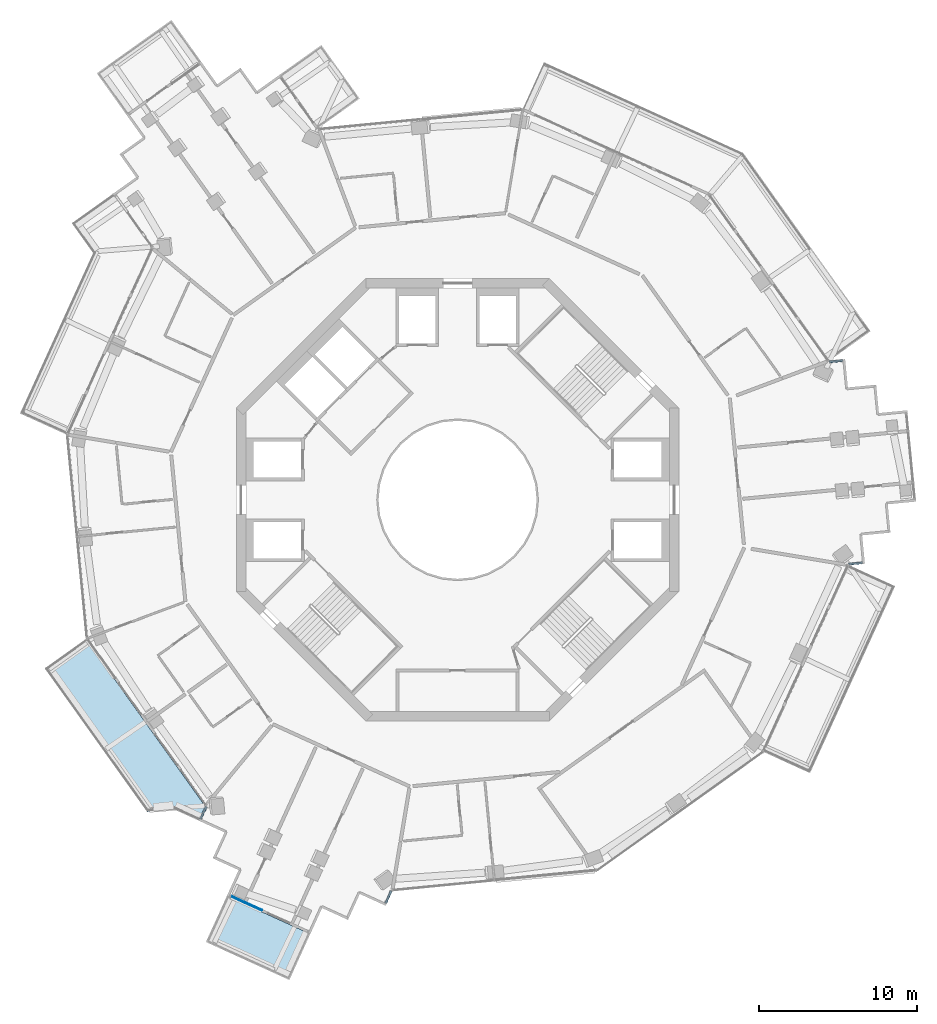
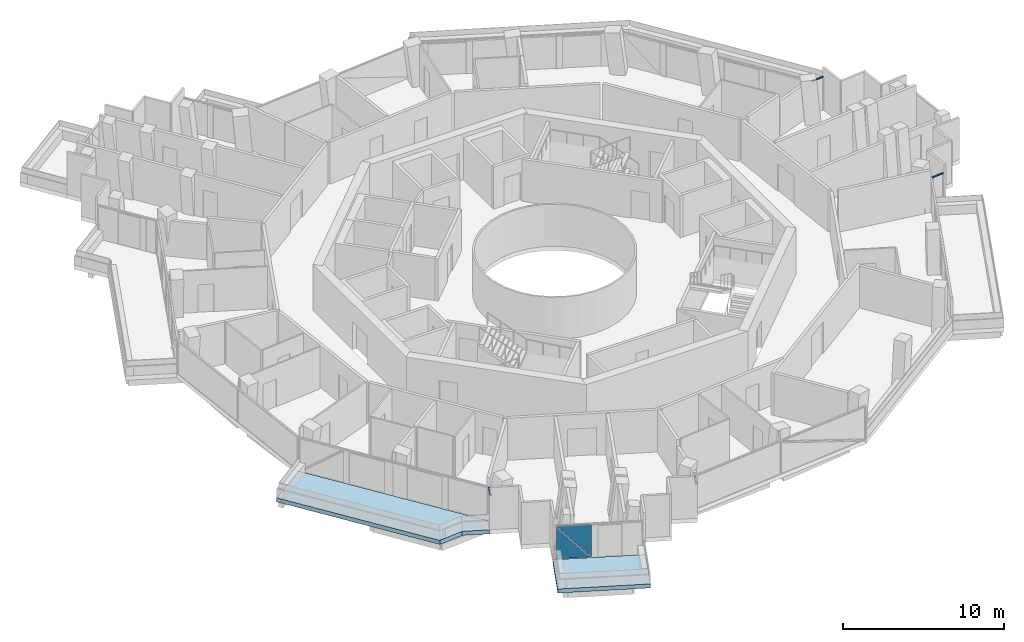
# One storey, part 9 of 22: 4 members, 2 plates, 2 slabs, 5 elements without a shape of their own.
"""IFC4 building model written with IfcOpenShell, lengths in metres."""

from ifc_helpers import new_model, si_unit, direction, frame, origin, origin_2d, place, context, subcontext, project, spatial, polyline, rectangle, outline, extrude, material, layer, layer_set, material_profile, profile_set, type_object, element, aggregate, save


model = new_model("IFC4")

# Units and contexts
model_context = context("Model", 3, precision=1e-05, world=origin(), true_north=direction((0.0, 1.0)))
body_context = subcontext(model_context, "Body", "Model", "MODEL_VIEW")
ifc_project = project(units=[si_unit("LENGTHUNIT", "METRE"), si_unit("AREAUNIT", "SQUARE_METRE"), si_unit("VOLUMEUNIT", "CUBIC_METRE"), si_unit("PLANEANGLEUNIT", "RADIAN"), si_unit("MASSUNIT", "GRAM", prefix="KILO")], contexts=[model_context])

# Site, building, storey
site_placement = place(None, origin())
site = spatial("IfcSite", under=ifc_project, at=site_placement, CompositionType="ELEMENT")
building_placement = place(site_placement, origin())
building = spatial("IfcBuilding", under=site, at=building_placement, Name="Verdalira Terraces Hotel", CompositionType="ELEMENT")
storey_placement = place(building_placement, frame((0.0, 0.0, 180.0)))
storey = spatial("IfcBuildingStorey", under=building, at=storey_placement, Name="L43", CompositionType="ELEMENT", Elevation=180.0)

# Curtain wall, member
ifc_material_1 = material(Name="Clear glass", Category="glass")
ifc_layer_1 = layer(ifc_material_1, 0.14990234375)
ifc_layer_set_1 = layer_set([ifc_layer_1], Name="CW2 curtain wall")
curtain_wall_type_1 = type_object("IfcCurtainWallType", Name="CW2 curtain wall", PredefinedType="NOTDEFINED", material=ifc_layer_set_1)
curtain_wall_1_placement = place(storey_placement, origin())
curtain_wall_1 = element("IfcCurtainWall", 1, at=curtain_wall_1_placement, inside=storey, type_object=curtain_wall_type_1, Name="CW2 curtain wall L43 edge 14", PredefinedType="NOTDEFINED")
ifc_material_2 = material(Name="Terracotta frame", Category="masonry")
ifc_material_profile = material_profile(ifc_material_2, rectangle(XDim=0.11499, YDim=0.064941, at=origin_2d()), Name="TR 65x115")
ifc_profile_set = profile_set([ifc_material_profile], Name="Terracotta frame")
member_type = type_object("IfcMemberType", Name="CW2 transom 65x115", PredefinedType="USERDEFINED", material=ifc_profile_set)
member_1_placement = place(storey_placement, frame((-15.899414, -19.415283, 2.507568), z_axis=(-0.414408696, -0.910090893, 0.0), x_axis=(0.910090893, -0.414408696, 0.0)))
member_1 = element("IfcMember", 2, at=member_1_placement, type_object=member_type, Name="CW2 transom", ObjectType="TRANSOM", PredefinedType="USERDEFINED", context=body_context, shape_type="SweptSolid", body=[
    extrude(rectangle(XDim=0.11499, YDim=0.064941, at=origin_2d()), origin(), (0.0, 0.0, 1.0), 0.850098),
])
aggregate(curtain_wall_1, [member_1])

curtain_wall_2_placement = place(storey_placement, origin())
curtain_wall_2 = element("IfcCurtainWall", 3, at=curtain_wall_2_placement, inside=storey, type_object=curtain_wall_type_1, Name="CW2 curtain wall L43 edge 24", PredefinedType="NOTDEFINED")
member_2_placement = place(storey_placement, frame((-4.556885, -25.513672, 2.507568), z_axis=(0.414408696, 0.910090893, 0.0), x_axis=(-0.910090893, 0.414408696, 0.0)))
member_2 = element("IfcMember", 4, at=member_2_placement, type_object=member_type, Name="CW2 transom", ObjectType="TRANSOM", PredefinedType="USERDEFINED", context=body_context, shape_type="SweptSolid", body=[
    extrude(rectangle(XDim=0.11499, YDim=0.064941, at=origin_2d()), origin(), (0.0, 0.0, 1.0), 0.850098),
])
aggregate(curtain_wall_2, [member_2])

curtain_wall_3_placement = place(storey_placement, origin())
curtain_wall_3 = element("IfcCurtainWall", 5, at=curtain_wall_3_placement, inside=storey, type_object=curtain_wall_type_1, Name="CW2 curtain wall L43 edge 28", PredefinedType="NOTDEFINED")
member_3_placement = place(storey_placement, frame((24.763916, -4.061768, 2.507568), z_axis=(0.995358894, 0.096232389, 0.0), x_axis=(-0.096232389, 0.995358894, 0.0)))
member_3 = element("IfcMember", 6, at=member_3_placement, type_object=member_type, Name="CW2 transom", ObjectType="TRANSOM", PredefinedType="USERDEFINED", context=body_context, shape_type="SweptSolid", body=[
    extrude(rectangle(XDim=0.11499, YDim=0.064941, at=origin_2d()), origin(), (0.0, 0.0, 1.0), 0.849854),
])
aggregate(curtain_wall_3, [member_3])

curtain_wall_4_placement = place(storey_placement, origin())
curtain_wall_4 = element("IfcCurtainWall", 7, at=curtain_wall_4_placement, inside=storey, type_object=curtain_wall_type_1, Name="CW2 curtain wall L43 edge 38", PredefinedType="NOTDEFINED")
member_4_placement = place(storey_placement, frame((24.373779, 8.810547, 2.507568), z_axis=(-0.995358894, -0.096232389, 0.0), x_axis=(0.096232389, -0.995358894, 0.0)))
member_4 = element("IfcMember", 8, at=member_4_placement, type_object=member_type, Name="CW2 transom", ObjectType="TRANSOM", PredefinedType="USERDEFINED", context=body_context, shape_type="SweptSolid", body=[
    extrude(rectangle(XDim=0.11499, YDim=0.064941, at=origin_2d()), origin(), (0.0, 0.0, 1.0), 0.849854),
])
aggregate(curtain_wall_4, [member_4])

# Slabs
ifc_material_3 = material(Name="Precast concrete C40/50", Category="concrete")
ifc_layer_2 = layer(ifc_material_3, 0.31005859375)
ifc_layer_set_2 = layer_set([ifc_layer_2], Name="Balcony deck 310")
slab_type = type_object("IfcSlabType", Name="Balcony deck 310", PredefinedType="FLOOR", material=ifc_layer_set_2)
slab_1_placement = place(storey_placement, frame((0.0, 0.0, -0.310059)))
element("IfcSlab", 9, at=slab_1_placement, inside=storey, type_object=slab_type, Name="Balcony deck", PredefinedType="FLOOR", context=body_context, shape_type="SweptSolid", body=[
    extrude(outline(polyline([(-26.125, -10.662598), (-19.645752, -19.739746), (-17.958496, -19.57666), (-16.38208, -20.294434), (-15.967773, -19.384277), (-23.520508, -8.803223), (-26.125, -10.662598)])), origin(), (0.0, 0.0, 1.0), 0.310059),
])
slab_2_placement = place(storey_placement, frame((0.0, 0.0, -0.310059)))
element("IfcSlab", 10, at=slab_2_placement, inside=storey, type_object=slab_type, Name="Balcony deck", PredefinedType="FLOOR", context=body_context, shape_type="SweptSolid", body=[
    extrude(outline(polyline([(-10.644775, -30.378174), (-9.318848, -27.46582), (-14.597412, -25.0625), (-15.923584, -27.974854), (-10.644775, -30.378174)])), origin(), (0.0, 0.0, 1.0), 0.310059),
])

# Curtain wall, plates
ifc_material_4 = material(Name="Clear glass", Category="glass")
ifc_layer_3 = layer(ifc_material_4, 0.14990234375)
ifc_layer_set_3 = layer_set([ifc_layer_3], Name="CW3 curtain wall")
curtain_wall_type_2 = type_object("IfcCurtainWallType", Name="CW3 curtain wall", PredefinedType="NOTDEFINED", material=ifc_layer_set_3)
curtain_wall_5_placement = place(storey_placement, origin())
curtain_wall_5 = element("IfcCurtainWall", 11, at=curtain_wall_5_placement, inside=storey, type_object=curtain_wall_type_2, Name="CW3 curtain wall L43 edge 19", PredefinedType="NOTDEFINED")
ifc_material_5 = material(Name="Clear glass", Category="glass")
ifc_layer_4 = layer(ifc_material_5, 0.035888671875)
ifc_layer_set_4 = layer_set([ifc_layer_4], Name="CW3 glass unit 36")
plate_type = type_object("IfcPlateType", Name="CW3 glass unit 36", PredefinedType="CURTAIN_PANEL", material=ifc_layer_set_4)
plate_1_placement = place(storey_placement, frame((-13.357666, -25.524902, 1.237549), z_axis=(-0.414375581, -0.910105971, 0.0), x_axis=(0.910105971, -0.414375581, 0.0)))
plate_1 = element("IfcPlate", 12, at=plate_1_placement, type_object=plate_type, Name="CW3 glass unit", PredefinedType="CURTAIN_PANEL", context=body_context, shape_type="SweptSolid", body=[
    extrude(outline(polyline([(-1.089844, -1.237549), (1.089844, -1.237549), (-1.089844, 1.237549), (-1.089844, -1.237549)])), origin(), (0.0, 0.0, 1.0), 0.035889),
])
plate_2_placement = place(storey_placement, frame((-13.342285, -25.491211, 1.237549), z_axis=(-0.414375581, -0.910105971, 0.0), x_axis=(0.910105971, -0.414375581, 0.0)))
plate_2 = element("IfcPlate", 13, at=plate_2_placement, type_object=plate_type, Name="CW3 glass unit", PredefinedType="CURTAIN_PANEL", context=body_context, shape_type="SweptSolid", body=[
    extrude(outline(polyline([(1.089844, -1.237549), (1.089844, 1.237549), (-1.089844, 1.237549), (1.089844, -1.237549)])), origin(), (0.0, 0.0, 1.0), 0.035889),
])
aggregate(curtain_wall_5, [plate_1, plate_2])

save(model, "model.ifc")
